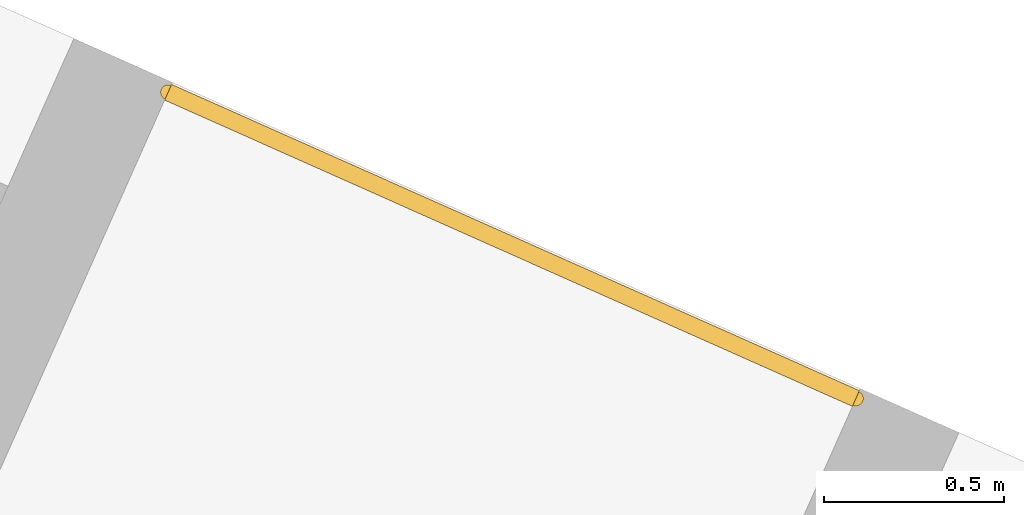
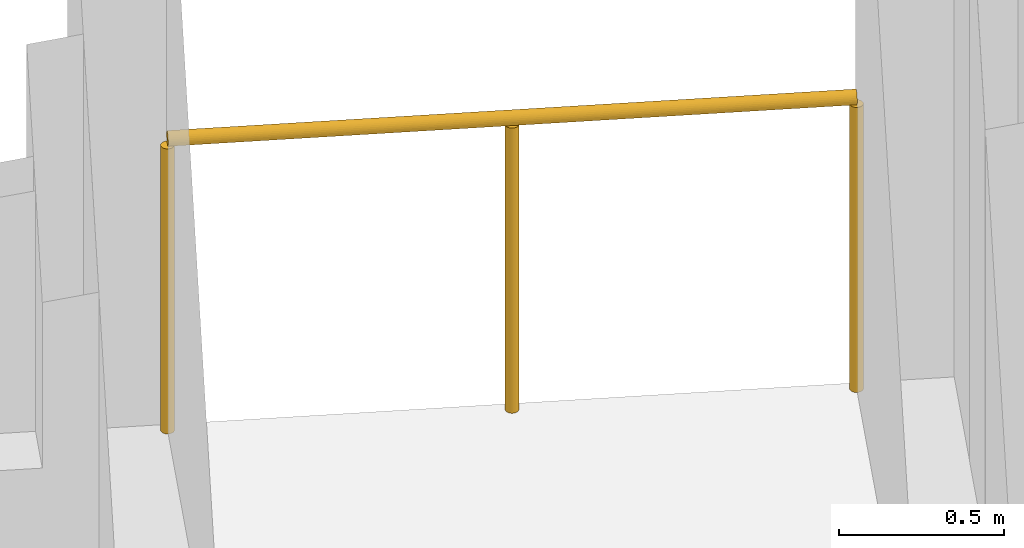
# One storey, part 14 of 14: 1 railing.
"""IFC4 building model written with IfcOpenShell, lengths in metres."""

from ifc_helpers import new_model, si_unit, direction, frame, origin, origin_2d, place, context, subcontext, project, spatial, circle, extrude, material, type_object, element, save


model = new_model("IFC4")

# Units and contexts
model_context = context("Model", 3, precision=1e-05, world=origin(), true_north=direction((0.0, 1.0)))
body_context = subcontext(model_context, "Body", "Model", "MODEL_VIEW")
ifc_project = project(units=[si_unit("LENGTHUNIT", "METRE"), si_unit("AREAUNIT", "SQUARE_METRE"), si_unit("VOLUMEUNIT", "CUBIC_METRE"), si_unit("PLANEANGLEUNIT", "RADIAN"), si_unit("MASSUNIT", "GRAM", prefix="KILO")], contexts=[model_context])

# Site, building, storey
site_placement = place(None, origin())
site = spatial("IfcSite", under=ifc_project, at=site_placement, CompositionType="ELEMENT")
building_placement = place(site_placement, origin())
building = spatial("IfcBuilding", under=site, at=building_placement, Name="Tramontana Tower", CompositionType="ELEMENT")
storey_placement = place(building_placement, frame((0.0, 0.0, 162.800048828125)))
storey = spatial("IfcBuildingStorey", under=building, at=storey_placement, Name="L37", CompositionType="ELEMENT", Elevation=162.800048828125)

# Railing
ifc_material = material(Name="Laminated glass balustrade", Category="glass")
railing_type = type_object("IfcRailingType", Name="GD1 Loggia glass balustrade 1100", PredefinedType="BALUSTRADE", material=ifc_material)
railing_placement = place(storey_placement, frame((26.319091796875, 6.85791015625, 0.0)))
element("IfcRailing", 1, at=railing_placement, inside=storey, type_object=railing_type, Name="Loggia balustrade L37 G4S2.1", PredefinedType="BALUSTRADE", context=body_context, shape_type="SweptSolid", body=[
    extrude(circle(Radius=0.02392578125, at=origin_2d()), frame((0.0, 0.0, 1.076171875), z_axis=(-0.913537312596, 0.406754936657, 0.0), x_axis=(-0.406754936657, -0.913537312596, 0.0)), (0.0, 0.0, 1.0), 2.09423828125),
    extrude(circle(Radius=0.02099609375, at=origin_2d()), origin(), (0.0, 0.0, 1.0), 1.052001953125),
    extrude(circle(Radius=0.02099609375, at=origin_2d()), frame((-0.95654296875, 0.42578125, 0.0)), (0.0, 0.0, 1.0), 1.052001953125),
    extrude(circle(Radius=0.02099609375, at=origin_2d()), frame((-1.9130859375, 0.851806640625, 0.0)), (0.0, 0.0, 1.0), 1.052001953125),
])

save(model, "model.ifc")
